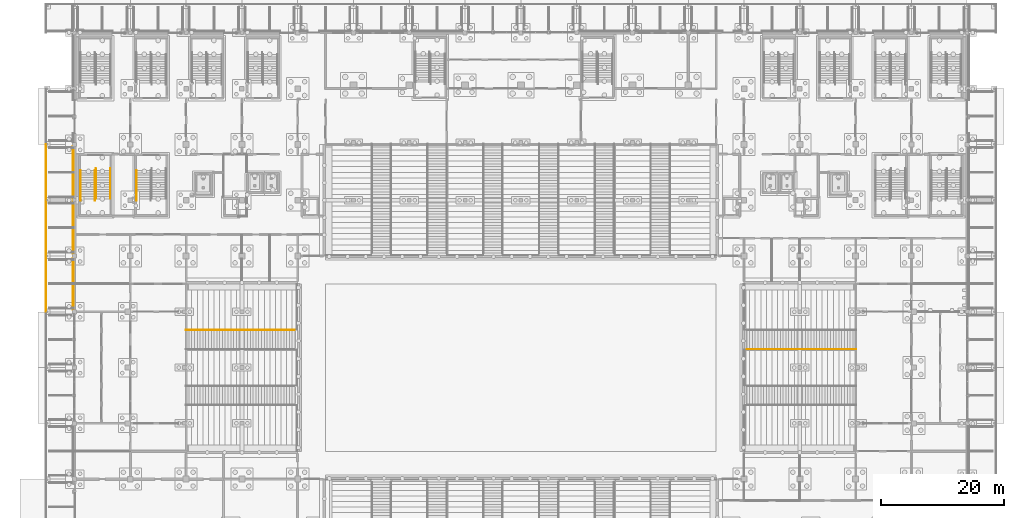
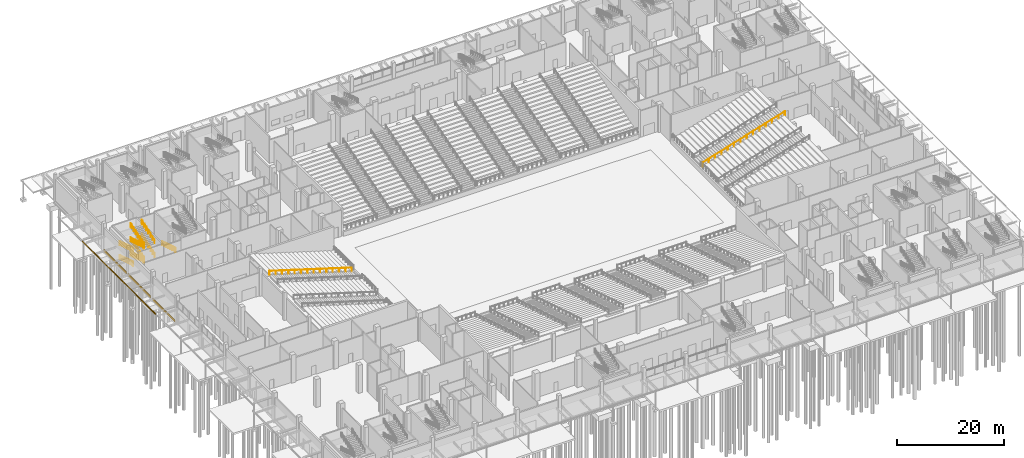
# One storey, part 108 of 129: 11 railings, 6 coverings.
"""IFC4 building model written with IfcOpenShell, lengths in metres."""

from ifc_helpers import new_model, si_unit, direction, frame, origin, origin_2d, place, context, subcontext, project, spatial, rectangle, circle, extrude, material, layer, layer_set, type_object, element, save


model = new_model("IFC4")

# Units and contexts
model_context = context("Model", 3, precision=1e-05, world=origin(), true_north=direction((0.0, 1.0)))
body_context = subcontext(model_context, "Body", "Model", "MODEL_VIEW")
ifc_project = project(units=[si_unit("LENGTHUNIT", "METRE"), si_unit("AREAUNIT", "SQUARE_METRE"), si_unit("VOLUMEUNIT", "CUBIC_METRE"), si_unit("PLANEANGLEUNIT", "RADIAN"), si_unit("MASSUNIT", "GRAM", prefix="KILO")], contexts=[model_context])

# Site, building, storey
site_placement = place(None, origin())
site = spatial("IfcSite", under=ifc_project, at=site_placement, CompositionType="ELEMENT")
building_placement = place(site_placement, origin())
building = spatial("IfcBuilding", under=site, at=building_placement, Name="Shirokan Park Arena", CompositionType="ELEMENT")
storey_placement = place(building_placement, origin())
storey = spatial("IfcBuildingStorey", under=building, at=storey_placement, Name="L00", CompositionType="ELEMENT", Elevation=0.0)

# Railings
ifc_material_1 = material(Name="Stainless steel", Category="steel")
railing_type_1 = type_object("IfcRailingType", Name="Aisle handrail 900", PredefinedType="HANDRAIL", material=ifc_material_1)
railing_1_placement = place(storey_placement, frame((109.705078125, 57.590087890625, 0.909912109375)))
element("IfcRailing", 1, at=railing_1_placement, inside=storey, type_object=railing_type_1, Name="Handrail vomitory stair E2 lower", PredefinedType="HANDRAIL", context=body_context, shape_type="SweptSolid", body=[
    extrude(circle(Radius=0.02490234375, at=origin_2d()), frame((0.0, 0.0, 0.89013671875), z_axis=(0.955745737905, 0.0, 0.294193957241), x_axis=(0.0, 1.0, 0.0)), (0.0, 0.0, 1.0), 1.42822265625),
    extrude(circle(Radius=0.02490234375, at=origin_2d()), frame((1.364990234375, 0.0, 1.310546875), z_axis=(0.95579379257, 0.0, 0.294037797035), x_axis=(0.0, 1.0, 0.0)), (0.0, 0.0, 1.0), 1.42822265625),
    extrude(circle(Radius=0.02490234375, at=origin_2d()), frame((2.72998046875, 0.0, 1.73046875), z_axis=(0.95579379257, 0.0, 0.294037797035), x_axis=(0.0, 1.0, 0.0)), (0.0, 0.0, 1.0), 1.42822265625),
    extrude(circle(Radius=0.02490234375, at=origin_2d()), frame((4.094970703125, 0.0, 2.150390625), z_axis=(0.955745737905, 0.0, 0.294193957241), x_axis=(0.0, 1.0, 0.0)), (0.0, 0.0, 1.0), 1.42822265625),
    extrude(circle(Radius=0.02490234375, at=origin_2d()), frame((5.4599609375, 0.0, 2.5703125), z_axis=(0.95579379257, 0.0, 0.294037797035), x_axis=(0.0, 1.0, 0.0)), (0.0, 0.0, 1.0), 1.42822265625),
    extrude(circle(Radius=0.02490234375, at=origin_2d()), frame((6.824951171875, 0.0, 2.990234375), z_axis=(0.95579379257, 0.0, 0.294037797035), x_axis=(0.0, 1.0, 0.0)), (0.0, 0.0, 1.0), 1.42822265625),
    extrude(circle(Radius=0.02490234375, at=origin_2d()), frame((8.18994140625, 0.0, 3.41015625), z_axis=(0.955745737905, 0.0, 0.294193957241), x_axis=(0.0, 1.0, 0.0)), (0.0, 0.0, 1.0), 1.42822265625),
    extrude(circle(Radius=0.02490234375, at=origin_2d()), frame((9.554931640625, 0.0, 3.83056640625), z_axis=(0.95579379257, 0.0, 0.294037797035), x_axis=(0.0, 1.0, 0.0)), (0.0, 0.0, 1.0), 1.42822265625),
    extrude(circle(Radius=0.02490234375, at=origin_2d()), frame((10.919921875, 0.0, 4.25048828125), z_axis=(0.95579379257, 0.0, 0.294037797035), x_axis=(0.0, 1.0, 0.0)), (0.0, 0.0, 1.0), 1.42822265625),
    extrude(circle(Radius=0.02490234375, at=origin_2d()), frame((12.284912109375, 0.0, 4.67041015625), z_axis=(0.955745737905, 0.0, 0.294193957241), x_axis=(0.0, 1.0, 0.0)), (0.0, 0.0, 1.0), 1.42822265625),
    extrude(circle(Radius=0.02490234375, at=origin_2d()), frame((13.64990234375, 0.0, 5.09033203125), z_axis=(0.95579379257, 0.0, 0.294037797035), x_axis=(0.0, 1.0, 0.0)), (0.0, 0.0, 1.0), 1.42822265625),
    extrude(circle(Radius=0.02490234375, at=origin_2d()), frame((15.014892578125, 0.0, 5.51025390625), z_axis=(0.95579379257, 0.0, 0.294037797035), x_axis=(0.0, 1.0, 0.0)), (0.0, 0.0, 1.0), 1.42822265625),
    extrude(circle(Radius=0.02490234375, at=origin_2d()), frame((16.3798828125, 0.0, 5.93017578125), z_axis=(0.955745737905, 0.0, 0.294193957241), x_axis=(0.0, 1.0, 0.0)), (0.0, 0.0, 1.0), 1.42822265625),
    extrude(circle(Radius=0.02490234375, at=origin_2d()), origin(), (0.0, 0.0, 1.0), 0.865234375),
    extrude(circle(Radius=0.02490234375, at=origin_2d()), frame((1.364990234375, 0.0, 0.420166015625)), (0.0, 0.0, 1.0), 0.865234375),
    extrude(circle(Radius=0.02490234375, at=origin_2d()), frame((2.72998046875, 0.0, 0.840087890625)), (0.0, 0.0, 1.0), 0.865234375),
    extrude(circle(Radius=0.02490234375, at=origin_2d()), frame((4.094970703125, 0.0, 1.260009765625)), (0.0, 0.0, 1.0), 0.865234375),
    extrude(circle(Radius=0.02490234375, at=origin_2d()), frame((5.4599609375, 0.0, 1.68017578125)), (0.0, 0.0, 1.0), 0.865234375),
    extrude(circle(Radius=0.02490234375, at=origin_2d()), frame((6.824951171875, 0.0, 2.10009765625)), (0.0, 0.0, 1.0), 0.865234375),
    extrude(circle(Radius=0.02490234375, at=origin_2d()), frame((8.18994140625, 0.0, 2.52001953125)), (0.0, 0.0, 1.0), 0.865234375),
    extrude(circle(Radius=0.02490234375, at=origin_2d()), frame((9.554931640625, 0.0, 2.940185546875)), (0.0, 0.0, 1.0), 0.865234375),
    extrude(circle(Radius=0.02490234375, at=origin_2d()), frame((10.919921875, 0.0, 3.360107421875)), (0.0, 0.0, 1.0), 0.865234375),
    extrude(circle(Radius=0.02490234375, at=origin_2d()), frame((12.284912109375, 0.0, 3.780029296875)), (0.0, 0.0, 1.0), 0.865234375),
    extrude(circle(Radius=0.02490234375, at=origin_2d()), frame((13.64990234375, 0.0, 4.2001953125)), (0.0, 0.0, 1.0), 0.865234375),
    extrude(circle(Radius=0.02490234375, at=origin_2d()), frame((15.014892578125, 0.0, 4.6201171875)), (0.0, 0.0, 1.0), 0.865234375),
    extrude(circle(Radius=0.02490234375, at=origin_2d()), frame((16.3798828125, 0.0, 5.0400390625)), (0.0, 0.0, 1.0), 0.865234375),
    extrude(circle(Radius=0.02490234375, at=origin_2d()), frame((17.744873046875, 0.0, 5.460205078125)), (0.0, 0.0, 1.0), 0.865234375),
])
railing_2_placement = place(storey_placement, frame((35.89501953125, 60.7099609375, 0.909912109375)))
element("IfcRailing", 2, at=railing_2_placement, inside=storey, type_object=railing_type_1, Name="Handrail vomitory stair W2 lower", PredefinedType="HANDRAIL", context=body_context, shape_type="SweptSolid", body=[
    extrude(circle(Radius=0.02490234375, at=origin_2d()), frame((0.0, 0.0, 0.89013671875), z_axis=(-0.955745737905, 0.0, 0.294193957241), x_axis=(0.0, -1.0, 0.0)), (0.0, 0.0, 1.0), 1.42822265625),
    extrude(circle(Radius=0.02490234375, at=origin_2d()), frame((-1.364990234375, 0.0, 1.310546875), z_axis=(-0.95579379257, 0.0, 0.294037797035), x_axis=(0.0, -1.0, 0.0)), (0.0, 0.0, 1.0), 1.42822265625),
    extrude(circle(Radius=0.02490234375, at=origin_2d()), frame((-2.72998046875, 0.0, 1.73046875), z_axis=(-0.95579379257, 0.0, 0.294037797035), x_axis=(0.0, -1.0, 0.0)), (0.0, 0.0, 1.0), 1.42822265625),
    extrude(circle(Radius=0.02490234375, at=origin_2d()), frame((-4.094970703125, 0.0, 2.150390625), z_axis=(-0.955745737905, 0.0, 0.294193957241), x_axis=(0.0, -1.0, 0.0)), (0.0, 0.0, 1.0), 1.42822265625),
    extrude(circle(Radius=0.02490234375, at=origin_2d()), frame((-5.4599609375, 0.0, 2.5703125), z_axis=(-0.95579379257, 0.0, 0.294037797035), x_axis=(0.0, -1.0, 0.0)), (0.0, 0.0, 1.0), 1.42822265625),
    extrude(circle(Radius=0.02490234375, at=origin_2d()), frame((-6.824951171875, 0.0, 2.990234375), z_axis=(-0.95579379257, 0.0, 0.294037797035), x_axis=(0.0, -1.0, 0.0)), (0.0, 0.0, 1.0), 1.42822265625),
    extrude(circle(Radius=0.02490234375, at=origin_2d()), frame((-8.18994140625, 0.0, 3.41015625), z_axis=(-0.955745737905, 0.0, 0.294193957241), x_axis=(0.0, -1.0, 0.0)), (0.0, 0.0, 1.0), 1.42822265625),
    extrude(circle(Radius=0.02490234375, at=origin_2d()), frame((-9.554931640625, 0.0, 3.83056640625), z_axis=(-0.95579379257, 0.0, 0.294037797035), x_axis=(0.0, -1.0, 0.0)), (0.0, 0.0, 1.0), 1.42822265625),
    extrude(circle(Radius=0.02490234375, at=origin_2d()), frame((-10.919921875, 0.0, 4.25048828125), z_axis=(-0.95579379257, 0.0, 0.294037797035), x_axis=(0.0, -1.0, 0.0)), (0.0, 0.0, 1.0), 1.42822265625),
    extrude(circle(Radius=0.02490234375, at=origin_2d()), frame((-12.284912109375, 0.0, 4.67041015625), z_axis=(-0.955745737905, 0.0, 0.294193957241), x_axis=(0.0, -1.0, 0.0)), (0.0, 0.0, 1.0), 1.42822265625),
    extrude(circle(Radius=0.02490234375, at=origin_2d()), frame((-13.64990234375, 0.0, 5.09033203125), z_axis=(-0.955808569173, 0.0, 0.293989760189), x_axis=(0.0, -1.0, 0.0)), (0.0, 0.0, 1.0), 1.428466796875),
    extrude(circle(Radius=0.02490234375, at=origin_2d()), frame((-15.01513671875, 0.0, 5.51025390625), z_axis=(-0.95579379257, 0.0, 0.294037797035), x_axis=(0.0, -1.0, 0.0)), (0.0, 0.0, 1.0), 1.42822265625),
    extrude(circle(Radius=0.02490234375, at=origin_2d()), frame((-16.380126953125, 0.0, 5.93017578125), z_axis=(-0.955745737905, 0.0, 0.294193957241), x_axis=(0.0, -1.0, 0.0)), (0.0, 0.0, 1.0), 1.42822265625),
    extrude(circle(Radius=0.02490234375, at=origin_2d()), origin(), (0.0, 0.0, 1.0), 0.865234375),
    extrude(circle(Radius=0.02490234375, at=origin_2d()), frame((-1.364990234375, 0.0, 0.420166015625)), (0.0, 0.0, 1.0), 0.865234375),
    extrude(circle(Radius=0.02490234375, at=origin_2d()), frame((-2.72998046875, 0.0, 0.840087890625)), (0.0, 0.0, 1.0), 0.865234375),
    extrude(circle(Radius=0.02490234375, at=origin_2d()), frame((-4.094970703125, 0.0, 1.260009765625)), (0.0, 0.0, 1.0), 0.865234375),
    extrude(circle(Radius=0.02490234375, at=origin_2d()), frame((-5.4599609375, 0.0, 1.68017578125)), (0.0, 0.0, 1.0), 0.865234375),
    extrude(circle(Radius=0.02490234375, at=origin_2d()), frame((-6.824951171875, 0.0, 2.10009765625)), (0.0, 0.0, 1.0), 0.865234375),
    extrude(circle(Radius=0.02490234375, at=origin_2d()), frame((-8.18994140625, 0.0, 2.52001953125)), (0.0, 0.0, 1.0), 0.865234375),
    extrude(circle(Radius=0.02490234375, at=origin_2d()), frame((-9.554931640625, 0.0, 2.940185546875)), (0.0, 0.0, 1.0), 0.865234375),
    extrude(circle(Radius=0.02490234375, at=origin_2d()), frame((-10.919921875, 0.0, 3.360107421875)), (0.0, 0.0, 1.0), 0.865234375),
    extrude(circle(Radius=0.02490234375, at=origin_2d()), frame((-12.284912109375, 0.0, 3.780029296875)), (0.0, 0.0, 1.0), 0.865234375),
    extrude(circle(Radius=0.02490234375, at=origin_2d()), frame((-13.64990234375, 0.0, 4.2001953125)), (0.0, 0.0, 1.0), 0.865234375),
    extrude(circle(Radius=0.02490234375, at=origin_2d()), frame((-15.01513671875, 0.0, 4.6201171875)), (0.0, 0.0, 1.0), 0.865234375),
    extrude(circle(Radius=0.02490234375, at=origin_2d()), frame((-16.380126953125, 0.0, 5.0400390625)), (0.0, 0.0, 1.0), 0.865234375),
    extrude(circle(Radius=0.02490234375, at=origin_2d()), frame((-17.7451171875, 0.0, 5.460205078125)), (0.0, 0.0, 1.0), 0.865234375),
])

# Coverings
ifc_material_2 = material(Name="Timber fascia (cedar)", Category="wood")
ifc_layer_1 = layer(ifc_material_2, 0.050048828125)
ifc_layer_set_1 = layer_set([ifc_layer_1], Name="Timber fascia (cedar) 50 mm")
covering_type_1 = type_object("IfcCoveringType", Name="Canopy fascia 50x250", PredefinedType="CLADDING", material=ifc_layer_set_1)
for number, where, z_axis, x_axis, name in (
    (3, (-4.675048828125, 86.449951171875, 3.5), (0.0, 0.0, 1.0), (0.0, -1.0, 0.0), "Canopy fascia west bay 3"),
    (4, (-4.675048828125, 77.35009765625, 3.5), (0.0, 0.0, 1.0), (0.0, -1.0, 0.0), "Canopy fascia west bay 4"),
    (5, (-4.675048828125, 68.25, 3.5), (0.0, 0.0, 1.0), (0.0, -1.0, 0.0), "Canopy fascia west bay 5"),
):
    element("IfcCovering", number, at=place(storey_placement, frame(where, z_axis=z_axis, x_axis=x_axis)), inside=storey, type_object=covering_type_1, Name=name, PredefinedType="CLADDING", context=body_context, shape_type="SweptSolid", body=[
        extrude(rectangle(XDim=9.10009765625, YDim=0.050048828125, at=origin_2d()), origin(), (0.0, 0.0, 1.0), 0.25),
    ])

# Railings
railing_type_2 = type_object("IfcRailingType", Name="Stair handrail 900", PredefinedType="HANDRAIL", material=ifc_material_1)
railing_3_placement = place(storey_placement, frame((0.989990234375, 86.75, 0.12255859375)))
element("IfcRailing", 6, at=railing_3_placement, inside=storey, type_object=railing_type_2, Name="Handrail Exit Stair 4.E L00 to L01", PredefinedType="HANDRAIL", context=body_context, shape_type="SweptSolid", body=[
    extrude(circle(Radius=0.02392578125, at=origin_2d()), frame((0.0, 0.0, 0.8759765625), z_axis=(0.0, -0.952929747917, 0.303191186441), x_axis=(1.0, 0.0, 0.0)), (0.0, 0.0, 1.0), 1.6162109375),
    extrude(circle(Radius=0.02392578125, at=origin_2d()), frame((0.0, -1.5400390625, 1.36572265625), z_axis=(0.0, -0.952929747917, 0.303191186441), x_axis=(1.0, 0.0, 0.0)), (0.0, 0.0, 1.0), 1.6162109375),
    extrude(circle(Radius=0.02392578125, at=origin_2d()), frame((0.0, -3.080078125, 1.85595703125), z_axis=(0.0, -0.952929747917, 0.303191186441), x_axis=(1.0, 0.0, 0.0)), (0.0, 0.0, 1.0), 1.6162109375),
    extrude(circle(Radius=0.02392578125, at=origin_2d()), frame((0.0, -4.6201171875, 2.345703125), z_axis=(0.0, -1.0, 0.0), x_axis=(1.0, 0.0, 0.0)), (0.0, 0.0, 1.0), 0.2998046875),
    extrude(circle(Radius=0.02099609375, at=origin_2d()), origin(), (0.0, 0.0, 1.0), 0.851806640625),
    extrude(circle(Radius=0.02099609375, at=origin_2d()), frame((0.0, -0.77001953125, 0.2451171875)), (0.0, 0.0, 1.0), 0.851806640625),
    extrude(circle(Radius=0.02099609375, at=origin_2d()), frame((0.0, -1.5400390625, 0.489990234375)), (0.0, 0.0, 1.0), 0.851806640625),
    extrude(circle(Radius=0.02099609375, at=origin_2d()), frame((0.0, -2.31005859375, 0.73486328125)), (0.0, 0.0, 1.0), 0.851806640625),
    extrude(circle(Radius=0.02099609375, at=origin_2d()), frame((0.0, -3.080078125, 0.97998046875)), (0.0, 0.0, 1.0), 0.851806640625),
    extrude(circle(Radius=0.02099609375, at=origin_2d()), frame((0.0, -3.85009765625, 1.22509765625)), (0.0, 0.0, 1.0), 0.851806640625),
    extrude(circle(Radius=0.02099609375, at=origin_2d()), frame((0.0, -4.6201171875, 1.469970703125)), (0.0, 0.0, 1.0), 0.851806640625),
    extrude(circle(Radius=0.02099609375, at=origin_2d()), frame((0.0, -4.919921875, 1.469970703125)), (0.0, 0.0, 1.0), 0.851806640625),
])
railing_4_placement = place(storey_placement, frame((3.31005859375, 86.75, 0.12255859375)))
element("IfcRailing", 7, at=railing_4_placement, inside=storey, type_object=railing_type_2, Name="Handrail Exit Stair 4.E L00 to L01", PredefinedType="HANDRAIL", context=body_context, shape_type="SweptSolid", body=[
    extrude(circle(Radius=0.02392578125, at=origin_2d()), frame((0.0, 0.0, 0.8759765625), z_axis=(0.0, -0.952929747917, 0.303191186441), x_axis=(1.0, 0.0, 0.0)), (0.0, 0.0, 1.0), 1.6162109375),
    extrude(circle(Radius=0.02392578125, at=origin_2d()), frame((0.0, -1.5400390625, 1.36572265625), z_axis=(0.0, -0.952929747917, 0.303191186441), x_axis=(1.0, 0.0, 0.0)), (0.0, 0.0, 1.0), 1.6162109375),
    extrude(circle(Radius=0.02392578125, at=origin_2d()), frame((0.0, -3.080078125, 1.85595703125), z_axis=(0.0, -0.952929747917, 0.303191186441), x_axis=(1.0, 0.0, 0.0)), (0.0, 0.0, 1.0), 1.6162109375),
    extrude(circle(Radius=0.02392578125, at=origin_2d()), frame((0.0, -4.6201171875, 2.345703125), z_axis=(0.0, -1.0, 0.0), x_axis=(1.0, 0.0, 0.0)), (0.0, 0.0, 1.0), 0.2998046875),
    extrude(circle(Radius=0.02099609375, at=origin_2d()), origin(), (0.0, 0.0, 1.0), 0.851806640625),
    extrude(circle(Radius=0.02099609375, at=origin_2d()), frame((0.0, -0.77001953125, 0.2451171875)), (0.0, 0.0, 1.0), 0.851806640625),
    extrude(circle(Radius=0.02099609375, at=origin_2d()), frame((0.0, -1.5400390625, 0.489990234375)), (0.0, 0.0, 1.0), 0.851806640625),
    extrude(circle(Radius=0.02099609375, at=origin_2d()), frame((0.0, -2.31005859375, 0.73486328125)), (0.0, 0.0, 1.0), 0.851806640625),
    extrude(circle(Radius=0.02099609375, at=origin_2d()), frame((0.0, -3.080078125, 0.97998046875)), (0.0, 0.0, 1.0), 0.851806640625),
    extrude(circle(Radius=0.02099609375, at=origin_2d()), frame((0.0, -3.85009765625, 1.22509765625)), (0.0, 0.0, 1.0), 0.851806640625),
    extrude(circle(Radius=0.02099609375, at=origin_2d()), frame((0.0, -4.6201171875, 1.469970703125)), (0.0, 0.0, 1.0), 0.851806640625),
    extrude(circle(Radius=0.02099609375, at=origin_2d()), frame((0.0, -4.919921875, 1.469970703125)), (0.0, 0.0, 1.0), 0.851806640625),
])
railing_5_placement = place(storey_placement, frame((3.489990234375, 82.1298828125, 1.715087890625)))
element("IfcRailing", 8, at=railing_5_placement, inside=storey, type_object=railing_type_2, Name="Handrail Exit Stair 4.E L00 to L01", PredefinedType="HANDRAIL", context=body_context, shape_type="SweptSolid", body=[
    extrude(circle(Radius=0.02392578125, at=origin_2d()), frame((0.0, 0.0, 0.8759765625), z_axis=(0.0, 0.952929747917, 0.303191186441), x_axis=(-1.0, 0.0, 0.0)), (0.0, 0.0, 1.0), 1.6162109375),
    extrude(circle(Radius=0.02392578125, at=origin_2d()), frame((0.0, 1.5400390625, 1.36572265625), z_axis=(0.0, 0.952929747917, 0.303191186441), x_axis=(-1.0, 0.0, 0.0)), (0.0, 0.0, 1.0), 1.6162109375),
    extrude(circle(Radius=0.02392578125, at=origin_2d()), frame((0.0, 3.080078125, 1.85595703125), z_axis=(0.0, 0.952929747917, 0.303191186441), x_axis=(-1.0, 0.0, 0.0)), (0.0, 0.0, 1.0), 1.6162109375),
    extrude(circle(Radius=0.02392578125, at=origin_2d()), frame((0.0, 4.6201171875, 2.345703125), z_axis=(0.0, 1.0, 0.0), x_axis=(-1.0, 0.0, 0.0)), (0.0, 0.0, 1.0), 0.300048828125),
    extrude(circle(Radius=0.02099609375, at=origin_2d()), origin(), (0.0, 0.0, 1.0), 0.851806640625),
    extrude(circle(Radius=0.02099609375, at=origin_2d()), frame((0.0, 0.77001953125, 0.2451171875)), (0.0, 0.0, 1.0), 0.851806640625),
    extrude(circle(Radius=0.02099609375, at=origin_2d()), frame((0.0, 1.5400390625, 0.489990234375)), (0.0, 0.0, 1.0), 0.851806640625),
    extrude(circle(Radius=0.02099609375, at=origin_2d()), frame((0.0, 2.31005859375, 0.73486328125)), (0.0, 0.0, 1.0), 0.851806640625),
    extrude(circle(Radius=0.02099609375, at=origin_2d()), frame((0.0, 3.080078125, 0.97998046875)), (0.0, 0.0, 1.0), 0.851806640625),
    extrude(circle(Radius=0.02099609375, at=origin_2d()), frame((0.0, 3.85009765625, 1.22509765625)), (0.0, 0.0, 1.0), 0.851806640625),
    extrude(circle(Radius=0.02099609375, at=origin_2d()), frame((0.0, 4.6201171875, 1.469970703125)), (0.0, 0.0, 1.0), 0.851806640625),
    extrude(circle(Radius=0.02099609375, at=origin_2d()), frame((0.0, 4.920166015625, 1.469970703125)), (0.0, 0.0, 1.0), 0.851806640625),
])
railing_6_placement = place(storey_placement, frame((5.81005859375, 82.1298828125, 1.715087890625)))
element("IfcRailing", 9, at=railing_6_placement, inside=storey, type_object=railing_type_2, Name="Handrail Exit Stair 4.E L00 to L01", PredefinedType="HANDRAIL", context=body_context, shape_type="SweptSolid", body=[
    extrude(circle(Radius=0.02392578125, at=origin_2d()), frame((0.0, 0.0, 0.8759765625), z_axis=(0.0, 0.952929747917, 0.303191186441), x_axis=(-1.0, 0.0, 0.0)), (0.0, 0.0, 1.0), 1.6162109375),
    extrude(circle(Radius=0.02392578125, at=origin_2d()), frame((0.0, 1.5400390625, 1.36572265625), z_axis=(0.0, 0.952929747917, 0.303191186441), x_axis=(-1.0, 0.0, 0.0)), (0.0, 0.0, 1.0), 1.6162109375),
    extrude(circle(Radius=0.02392578125, at=origin_2d()), frame((0.0, 3.080078125, 1.85595703125), z_axis=(0.0, 0.952929747917, 0.303191186441), x_axis=(-1.0, 0.0, 0.0)), (0.0, 0.0, 1.0), 1.6162109375),
    extrude(circle(Radius=0.02392578125, at=origin_2d()), frame((0.0, 4.6201171875, 2.345703125), z_axis=(0.0, 1.0, 0.0), x_axis=(-1.0, 0.0, 0.0)), (0.0, 0.0, 1.0), 0.300048828125),
    extrude(circle(Radius=0.02099609375, at=origin_2d()), origin(), (0.0, 0.0, 1.0), 0.851806640625),
    extrude(circle(Radius=0.02099609375, at=origin_2d()), frame((0.0, 0.77001953125, 0.2451171875)), (0.0, 0.0, 1.0), 0.851806640625),
    extrude(circle(Radius=0.02099609375, at=origin_2d()), frame((0.0, 1.5400390625, 0.489990234375)), (0.0, 0.0, 1.0), 0.851806640625),
    extrude(circle(Radius=0.02099609375, at=origin_2d()), frame((0.0, 2.31005859375, 0.73486328125)), (0.0, 0.0, 1.0), 0.851806640625),
    extrude(circle(Radius=0.02099609375, at=origin_2d()), frame((0.0, 3.080078125, 0.97998046875)), (0.0, 0.0, 1.0), 0.851806640625),
    extrude(circle(Radius=0.02099609375, at=origin_2d()), frame((0.0, 3.85009765625, 1.22509765625)), (0.0, 0.0, 1.0), 0.851806640625),
    extrude(circle(Radius=0.02099609375, at=origin_2d()), frame((0.0, 4.6201171875, 1.469970703125)), (0.0, 0.0, 1.0), 0.851806640625),
    extrude(circle(Radius=0.02099609375, at=origin_2d()), frame((0.0, 4.920166015625, 1.469970703125)), (0.0, 0.0, 1.0), 0.851806640625),
])
railing_7_placement = place(storey_placement, frame((0.989990234375, 86.75, 3.3076171875)))
element("IfcRailing", 10, at=railing_7_placement, inside=storey, type_object=railing_type_2, Name="Handrail Exit Stair 4.E L00 to L01", PredefinedType="HANDRAIL", context=body_context, shape_type="SweptSolid", body=[
    extrude(circle(Radius=0.02392578125, at=origin_2d()), frame((0.0, 0.0, 0.8759765625), z_axis=(0.0, -0.952929747917, 0.303191186441), x_axis=(1.0, 0.0, 0.0)), (0.0, 0.0, 1.0), 1.6162109375),
    extrude(circle(Radius=0.02392578125, at=origin_2d()), frame((0.0, -1.5400390625, 1.36572265625), z_axis=(0.0, -0.952929747917, 0.303191186441), x_axis=(1.0, 0.0, 0.0)), (0.0, 0.0, 1.0), 1.6162109375),
    extrude(circle(Radius=0.02392578125, at=origin_2d()), frame((0.0, -3.080078125, 1.85595703125), z_axis=(0.0, -0.952929747917, 0.303191186441), x_axis=(1.0, 0.0, 0.0)), (0.0, 0.0, 1.0), 1.6162109375),
    extrude(circle(Radius=0.02392578125, at=origin_2d()), frame((0.0, -4.6201171875, 2.345703125), z_axis=(0.0, -1.0, 0.0), x_axis=(1.0, 0.0, 0.0)), (0.0, 0.0, 1.0), 0.2998046875),
    extrude(circle(Radius=0.02099609375, at=origin_2d()), origin(), (0.0, 0.0, 1.0), 0.851806640625),
    extrude(circle(Radius=0.02099609375, at=origin_2d()), frame((0.0, -0.77001953125, 0.2451171875)), (0.0, 0.0, 1.0), 0.851806640625),
    extrude(circle(Radius=0.02099609375, at=origin_2d()), frame((0.0, -1.5400390625, 0.489990234375)), (0.0, 0.0, 1.0), 0.851806640625),
    extrude(circle(Radius=0.02099609375, at=origin_2d()), frame((0.0, -2.31005859375, 0.73486328125)), (0.0, 0.0, 1.0), 0.851806640625),
    extrude(circle(Radius=0.02099609375, at=origin_2d()), frame((0.0, -3.080078125, 0.97998046875)), (0.0, 0.0, 1.0), 0.851806640625),
    extrude(circle(Radius=0.02099609375, at=origin_2d()), frame((0.0, -3.85009765625, 1.22509765625)), (0.0, 0.0, 1.0), 0.851806640625),
    extrude(circle(Radius=0.02099609375, at=origin_2d()), frame((0.0, -4.6201171875, 1.469970703125)), (0.0, 0.0, 1.0), 0.851806640625),
    extrude(circle(Radius=0.02099609375, at=origin_2d()), frame((0.0, -4.919921875, 1.469970703125)), (0.0, 0.0, 1.0), 0.851806640625),
])
railing_8_placement = place(storey_placement, frame((3.31005859375, 86.75, 3.3076171875)))
element("IfcRailing", 11, at=railing_8_placement, inside=storey, type_object=railing_type_2, Name="Handrail Exit Stair 4.E L00 to L01", PredefinedType="HANDRAIL", context=body_context, shape_type="SweptSolid", body=[
    extrude(circle(Radius=0.02392578125, at=origin_2d()), frame((0.0, 0.0, 0.8759765625), z_axis=(0.0, -0.952929747917, 0.303191186441), x_axis=(1.0, 0.0, 0.0)), (0.0, 0.0, 1.0), 1.6162109375),
    extrude(circle(Radius=0.02392578125, at=origin_2d()), frame((0.0, -1.5400390625, 1.36572265625), z_axis=(0.0, -0.952929747917, 0.303191186441), x_axis=(1.0, 0.0, 0.0)), (0.0, 0.0, 1.0), 1.6162109375),
    extrude(circle(Radius=0.02392578125, at=origin_2d()), frame((0.0, -3.080078125, 1.85595703125), z_axis=(0.0, -0.952929747917, 0.303191186441), x_axis=(1.0, 0.0, 0.0)), (0.0, 0.0, 1.0), 1.6162109375),
    extrude(circle(Radius=0.02392578125, at=origin_2d()), frame((0.0, -4.6201171875, 2.345703125), z_axis=(0.0, -1.0, 0.0), x_axis=(1.0, 0.0, 0.0)), (0.0, 0.0, 1.0), 0.2998046875),
    extrude(circle(Radius=0.02099609375, at=origin_2d()), origin(), (0.0, 0.0, 1.0), 0.851806640625),
    extrude(circle(Radius=0.02099609375, at=origin_2d()), frame((0.0, -0.77001953125, 0.2451171875)), (0.0, 0.0, 1.0), 0.851806640625),
    extrude(circle(Radius=0.02099609375, at=origin_2d()), frame((0.0, -1.5400390625, 0.489990234375)), (0.0, 0.0, 1.0), 0.851806640625),
    extrude(circle(Radius=0.02099609375, at=origin_2d()), frame((0.0, -2.31005859375, 0.73486328125)), (0.0, 0.0, 1.0), 0.851806640625),
    extrude(circle(Radius=0.02099609375, at=origin_2d()), frame((0.0, -3.080078125, 0.97998046875)), (0.0, 0.0, 1.0), 0.851806640625),
    extrude(circle(Radius=0.02099609375, at=origin_2d()), frame((0.0, -3.85009765625, 1.22509765625)), (0.0, 0.0, 1.0), 0.851806640625),
    extrude(circle(Radius=0.02099609375, at=origin_2d()), frame((0.0, -4.6201171875, 1.469970703125)), (0.0, 0.0, 1.0), 0.851806640625),
    extrude(circle(Radius=0.02099609375, at=origin_2d()), frame((0.0, -4.919921875, 1.469970703125)), (0.0, 0.0, 1.0), 0.851806640625),
])
railing_9_placement = place(storey_placement, frame((3.489990234375, 82.1298828125, 4.89990234375)))
element("IfcRailing", 12, at=railing_9_placement, inside=storey, type_object=railing_type_2, Name="Handrail Exit Stair 4.E L00 to L01", PredefinedType="HANDRAIL", context=body_context, shape_type="SweptSolid", body=[
    extrude(circle(Radius=0.02392578125, at=origin_2d()), frame((0.0, 0.0, 0.8759765625), z_axis=(0.0, 0.952929747917, 0.303191186441), x_axis=(-1.0, 0.0, 0.0)), (0.0, 0.0, 1.0), 1.6162109375),
    extrude(circle(Radius=0.02392578125, at=origin_2d()), frame((0.0, 1.5400390625, 1.36572265625), z_axis=(0.0, 0.952929747917, 0.303191186441), x_axis=(-1.0, 0.0, 0.0)), (0.0, 0.0, 1.0), 1.6162109375),
    extrude(circle(Radius=0.02392578125, at=origin_2d()), frame((0.0, 3.080078125, 1.85595703125), z_axis=(0.0, 0.952886093821, 0.303328357069), x_axis=(-1.0, 0.0, 0.0)), (0.0, 0.0, 1.0), 1.6162109375),
    extrude(circle(Radius=0.02392578125, at=origin_2d()), frame((0.0, 4.6201171875, 2.34619140625), z_axis=(0.0, 1.0, 0.0), x_axis=(-1.0, 0.0, 0.0)), (0.0, 0.0, 1.0), 0.300048828125),
    extrude(circle(Radius=0.02099609375, at=origin_2d()), origin(), (0.0, 0.0, 1.0), 0.851806640625),
    extrude(circle(Radius=0.02099609375, at=origin_2d()), frame((0.0, 0.77001953125, 0.2451171875)), (0.0, 0.0, 1.0), 0.851806640625),
    extrude(circle(Radius=0.02099609375, at=origin_2d()), frame((0.0, 1.5400390625, 0.489990234375)), (0.0, 0.0, 1.0), 0.851806640625),
    extrude(circle(Radius=0.02099609375, at=origin_2d()), frame((0.0, 2.31005859375, 0.73486328125)), (0.0, 0.0, 1.0), 0.851806640625),
    extrude(circle(Radius=0.02099609375, at=origin_2d()), frame((0.0, 3.080078125, 0.97998046875)), (0.0, 0.0, 1.0), 0.851806640625),
    extrude(circle(Radius=0.02099609375, at=origin_2d()), frame((0.0, 3.85009765625, 1.22509765625)), (0.0, 0.0, 1.0), 0.851806640625),
    extrude(circle(Radius=0.02099609375, at=origin_2d()), frame((0.0, 4.6201171875, 1.47021484375)), (0.0, 0.0, 1.0), 0.851806640625),
    extrude(circle(Radius=0.02099609375, at=origin_2d()), frame((0.0, 4.920166015625, 1.47021484375)), (0.0, 0.0, 1.0), 0.851806640625),
])
railing_10_placement = place(storey_placement, frame((5.81005859375, 82.1298828125, 4.89990234375)))
element("IfcRailing", 13, at=railing_10_placement, inside=storey, type_object=railing_type_2, Name="Handrail Exit Stair 4.E L00 to L01", PredefinedType="HANDRAIL", context=body_context, shape_type="SweptSolid", body=[
    extrude(circle(Radius=0.02392578125, at=origin_2d()), frame((0.0, 0.0, 0.8759765625), z_axis=(0.0, 0.952929747917, 0.303191186441), x_axis=(-1.0, 0.0, 0.0)), (0.0, 0.0, 1.0), 1.6162109375),
    extrude(circle(Radius=0.02392578125, at=origin_2d()), frame((0.0, 1.5400390625, 1.36572265625), z_axis=(0.0, 0.952929747917, 0.303191186441), x_axis=(-1.0, 0.0, 0.0)), (0.0, 0.0, 1.0), 1.6162109375),
    extrude(circle(Radius=0.02392578125, at=origin_2d()), frame((0.0, 3.080078125, 1.85595703125), z_axis=(0.0, 0.952886093821, 0.303328357069), x_axis=(-1.0, 0.0, 0.0)), (0.0, 0.0, 1.0), 1.6162109375),
    extrude(circle(Radius=0.02392578125, at=origin_2d()), frame((0.0, 4.6201171875, 2.34619140625), z_axis=(0.0, 1.0, 0.0), x_axis=(-1.0, 0.0, 0.0)), (0.0, 0.0, 1.0), 0.300048828125),
    extrude(circle(Radius=0.02099609375, at=origin_2d()), origin(), (0.0, 0.0, 1.0), 0.851806640625),
    extrude(circle(Radius=0.02099609375, at=origin_2d()), frame((0.0, 0.77001953125, 0.2451171875)), (0.0, 0.0, 1.0), 0.851806640625),
    extrude(circle(Radius=0.02099609375, at=origin_2d()), frame((0.0, 1.5400390625, 0.489990234375)), (0.0, 0.0, 1.0), 0.851806640625),
    extrude(circle(Radius=0.02099609375, at=origin_2d()), frame((0.0, 2.31005859375, 0.73486328125)), (0.0, 0.0, 1.0), 0.851806640625),
    extrude(circle(Radius=0.02099609375, at=origin_2d()), frame((0.0, 3.080078125, 0.97998046875)), (0.0, 0.0, 1.0), 0.851806640625),
    extrude(circle(Radius=0.02099609375, at=origin_2d()), frame((0.0, 3.85009765625, 1.22509765625)), (0.0, 0.0, 1.0), 0.851806640625),
    extrude(circle(Radius=0.02099609375, at=origin_2d()), frame((0.0, 4.6201171875, 1.47021484375)), (0.0, 0.0, 1.0), 0.851806640625),
    extrude(circle(Radius=0.02099609375, at=origin_2d()), frame((0.0, 4.920166015625, 1.47021484375)), (0.0, 0.0, 1.0), 0.851806640625),
])
railing_11_placement = place(storey_placement, frame((10.090087890625, 86.75, 0.12255859375)))
element("IfcRailing", 14, at=railing_11_placement, inside=storey, type_object=railing_type_2, Name="Handrail Exit Stair 4.F L00 to L01", PredefinedType="HANDRAIL", context=body_context, shape_type="SweptSolid", body=[
    extrude(circle(Radius=0.02392578125, at=origin_2d()), frame((0.0, 0.0, 0.8759765625), z_axis=(0.0, -0.952929747917, 0.303191186441), x_axis=(1.0, 0.0, 0.0)), (0.0, 0.0, 1.0), 1.6162109375),
    extrude(circle(Radius=0.02392578125, at=origin_2d()), frame((0.0, -1.5400390625, 1.36572265625), z_axis=(0.0, -0.952929747917, 0.303191186441), x_axis=(1.0, 0.0, 0.0)), (0.0, 0.0, 1.0), 1.6162109375),
    extrude(circle(Radius=0.02392578125, at=origin_2d()), frame((0.0, -3.080078125, 1.85595703125), z_axis=(0.0, -0.952929747917, 0.303191186441), x_axis=(1.0, 0.0, 0.0)), (0.0, 0.0, 1.0), 1.6162109375),
    extrude(circle(Radius=0.02392578125, at=origin_2d()), frame((0.0, -4.6201171875, 2.345703125), z_axis=(0.0, -1.0, 0.0), x_axis=(1.0, 0.0, 0.0)), (0.0, 0.0, 1.0), 0.2998046875),
    extrude(circle(Radius=0.02099609375, at=origin_2d()), origin(), (0.0, 0.0, 1.0), 0.851806640625),
    extrude(circle(Radius=0.02099609375, at=origin_2d()), frame((0.0, -0.77001953125, 0.2451171875)), (0.0, 0.0, 1.0), 0.851806640625),
    extrude(circle(Radius=0.02099609375, at=origin_2d()), frame((0.0, -1.5400390625, 0.489990234375)), (0.0, 0.0, 1.0), 0.851806640625),
    extrude(circle(Radius=0.02099609375, at=origin_2d()), frame((0.0, -2.31005859375, 0.73486328125)), (0.0, 0.0, 1.0), 0.851806640625),
    extrude(circle(Radius=0.02099609375, at=origin_2d()), frame((0.0, -3.080078125, 0.97998046875)), (0.0, 0.0, 1.0), 0.851806640625),
    extrude(circle(Radius=0.02099609375, at=origin_2d()), frame((0.0, -3.85009765625, 1.22509765625)), (0.0, 0.0, 1.0), 0.851806640625),
    extrude(circle(Radius=0.02099609375, at=origin_2d()), frame((0.0, -4.6201171875, 1.469970703125)), (0.0, 0.0, 1.0), 0.851806640625),
    extrude(circle(Radius=0.02099609375, at=origin_2d()), frame((0.0, -4.919921875, 1.469970703125)), (0.0, 0.0, 1.0), 0.851806640625),
])

# Coverings
ifc_material_3 = material(Name="Natural stone", Category="masonry")
ifc_layer_2 = layer(ifc_material_3, 0.14990234375)
ifc_layer_set_2 = layer_set([ifc_layer_2], Name="Natural stone 150 mm")
covering_type_2 = type_object("IfcCoveringType", Name="Stone plinth 150x450", PredefinedType="CLADDING", material=ifc_layer_set_2)
covering_1_placement = place(storey_placement, frame((-0.22509765625, 86.41259765625, 0.0), z_axis=(0.0, 0.0, 1.0), x_axis=(0.0, -1.0, 0.0)))
element("IfcCovering", 15, at=covering_1_placement, inside=storey, type_object=covering_type_2, Name="Stone plinth west bay 3", PredefinedType="CLADDING", context=body_context, shape_type="SweptSolid", body=[
    extrude(rectangle(XDim=8.52490234375, YDim=0.14990234375, at=origin_2d()), origin(), (0.0, 0.0, 1.0), 0.449951171875),
])
covering_2_placement = place(storey_placement, frame((-0.22509765625, 77.39990234375, 0.0), z_axis=(0.0, 0.0, 1.0), x_axis=(0.0, -1.0, 0.0)))
element("IfcCovering", 16, at=covering_2_placement, inside=storey, type_object=covering_type_2, Name="Stone plinth west bay 4", PredefinedType="CLADDING", context=body_context, shape_type="SweptSolid", body=[
    extrude(rectangle(XDim=8.5, YDim=0.14990234375, at=origin_2d()), origin(), (0.0, 0.0, 1.0), 0.449951171875),
])
covering_3_placement = place(storey_placement, frame((-0.22509765625, 68.237548828125, 0.0), z_axis=(0.0, 0.0, 1.0), x_axis=(0.0, -1.0, 0.0)))
element("IfcCovering", 17, at=covering_3_placement, inside=storey, type_object=covering_type_2, Name="Stone plinth west bay 5", PredefinedType="CLADDING", context=body_context, shape_type="SweptSolid", body=[
    extrude(rectangle(XDim=8.425048828125, YDim=0.14990234375, at=origin_2d()), origin(), (0.0, 0.0, 1.0), 0.449951171875),
])

save(model, "model.ifc")
